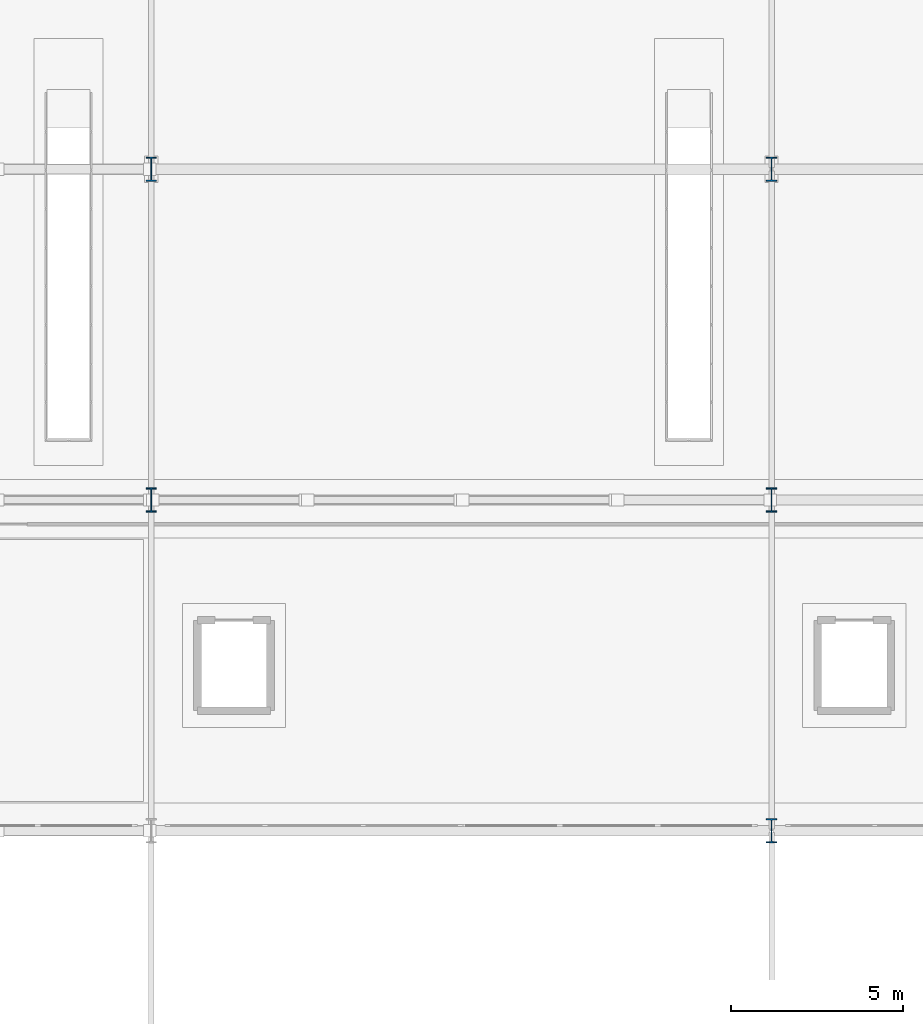
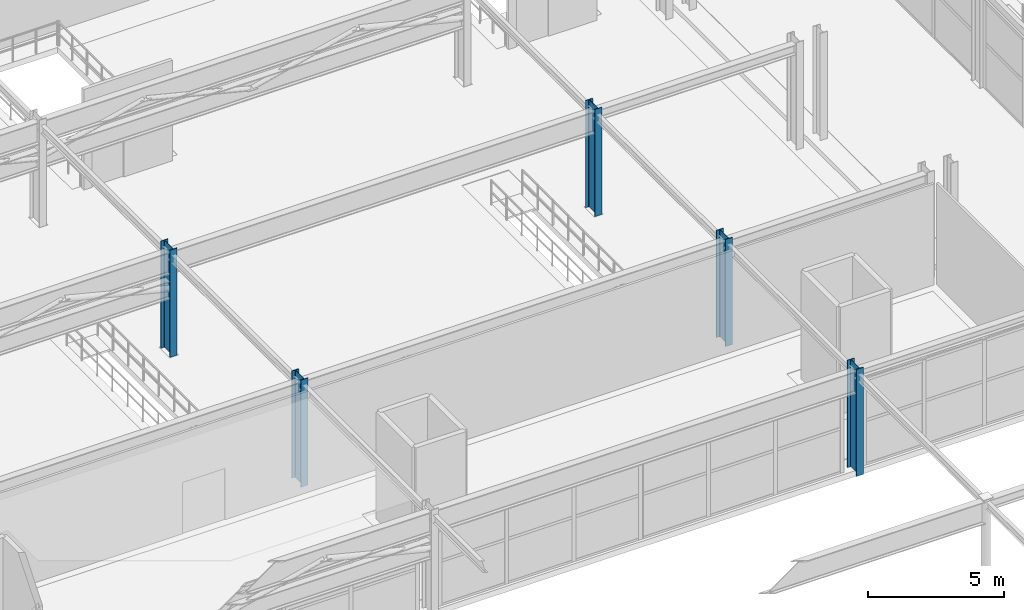
# One storey, part 4 of 125: 5 columns.
"""IFC4 building model written with IfcOpenShell, lengths in metres."""

import ifcopenshell
import ifcopenshell.guid

model = None  # the IFC model being written
_history = None  # IfcOwnerHistory: only IFC2X3 demands one
_inside = {}  # id of a spatial element -> (the spatial element, [elements in it])
_under = {}  # id of a project, library or spatial element -> (it, [spatial elements below it])
_declared = {}  # id of a project -> (the project, [libraries it declares])
_typed = {}  # id of a type object -> (the type object, [elements of that type])
_made_of = {}  # id of a material, layer set ... -> (it, [elements and type objects made of it])


def new_model(schema):
    """Start an empty IFC model of exactly this schema.

    Asked for "IFC4X3", IfcOpenShell would pick the latest addendum, in which some entities
    have other attributes; the version numbers below select the first issue.
    IFC2X3 requires an IfcOwnerHistory on every rooted entity: one is made here for all.
    """
    global model, _history
    if schema == "IFC4X3":
        model = ifcopenshell.file(schema_version=(4, 3, 0, 0))
    else:
        model = ifcopenshell.file(schema=schema)
    _inside.clear()
    _under.clear()
    _declared.clear()
    _typed.clear()
    _made_of.clear()
    _history = None
    if model.schema == "IFC2X3":
        org = make("IfcOrganization", Name="unknown")
        user = make(
            "IfcPersonAndOrganization",
            ThePerson=make("IfcPerson", FamilyName="unknown"),
            TheOrganization=org,
        )
        app = make(
            "IfcApplication",
            ApplicationDeveloper=org,
            Version="unknown",
            ApplicationFullName="unknown",
            ApplicationIdentifier="unknown",
        )
        _history = make(
            "IfcOwnerHistory",
            OwningUser=user,
            OwningApplication=app,
            ChangeAction="ADDED",
            CreationDate=0,
        )
    return model


def make(cls, **values):
    """One entity of the class cls with the attributes given. An attribute that is None is left unset."""
    return model.create_entity(
        cls, **{name: value for name, value in values.items() if value is not None}
    )


def rooted(cls, **values):
    """An entity with a GlobalId (a new one), such as an element, a storey or a relation."""
    return make(cls, GlobalId=ifcopenshell.guid.new(), OwnerHistory=_history, **values)


def si_unit(unit_type, name, prefix=None):
    """IfcSIUnit, for example si_unit("LENGTHUNIT", "METRE", prefix="MILLI")."""
    return make("IfcSIUnit", UnitType=unit_type, Prefix=prefix, Name=name)


def assignment(units):
    """IfcUnitAssignment: the units of a project."""
    return None if units is None else make("IfcUnitAssignment", Units=units)


def point(xyz):
    """IfcCartesianPoint."""
    return None if xyz is None else make("IfcCartesianPoint", Coordinates=xyz)


def direction(xyz):
    """IfcDirection."""
    return None if xyz is None else make("IfcDirection", DirectionRatios=xyz)


def frame(location, z_axis=None, x_axis=None):
    """IfcAxis2Placement3D, a coordinate frame: its origin and axes. An axis left out is left unset."""
    return make(
        "IfcAxis2Placement3D",
        Location=point(location),
        Axis=direction(z_axis),
        RefDirection=direction(x_axis),
    )


def frame_2d(location, x_axis=None):
    """IfcAxis2Placement2D, a coordinate frame in the plane: its origin and x axis."""
    return make(
        "IfcAxis2Placement2D", Location=point(location), RefDirection=direction(x_axis)
    )


def origin():
    """The frame at (0, 0, 0) with its axes left unset."""
    return frame((0.0, 0.0, 0.0))


def origin_2d():
    """The frame at (0, 0) in the plane with its x axis left unset."""
    return frame_2d((0.0, 0.0))


def place(relative_to, where):
    """IfcLocalPlacement: puts the frame where relative to a parent placement (None: the world)."""
    return make(
        "IfcLocalPlacement", PlacementRelTo=relative_to, RelativePlacement=where
    )


def context(
    kind, dimensions, precision=None, world=None, true_north=None, identifier=None
):
    """IfcGeometricRepresentationContext, for example the 3D "Model" context."""
    return make(
        "IfcGeometricRepresentationContext",
        ContextIdentifier=identifier,
        ContextType=kind,
        CoordinateSpaceDimension=dimensions,
        Precision=precision,
        WorldCoordinateSystem=world,
        TrueNorth=true_north,
    )


def subcontext(parent, identifier, kind, view, scale=None):
    """IfcGeometricRepresentationSubContext, for example "Body" below "Model"."""
    return make(
        "IfcGeometricRepresentationSubContext",
        ContextIdentifier=identifier,
        ContextType=kind,
        ParentContext=parent,
        TargetScale=scale,
        TargetView=view,
    )


def project(units=None, contexts=None):
    """IfcProject with its units and contexts."""
    return rooted(
        "IfcProject",
        Name="project",
        RepresentationContexts=contexts,
        UnitsInContext=assignment(units),
    )


def spatial(cls, under=None, at=None, **own):
    """A site, building, storey or space (cls), placed at a placement, below another one or the project."""
    s = rooted(cls, ObjectPlacement=at, **own)
    if under is not None:
        _under.setdefault(under.id(), (under, []))[1].append(s)
    return s


def profile(cls, at=None, kind="AREA", **sizes):
    """A parametric profile (cls). Its sizes go by their IFC names, for example OverallWidth=200.0."""
    return make(cls, ProfileType=kind, Position=at, **sizes)


def i_section(**sizes):
    """IfcIShapeProfileDef."""
    return profile("IfcIShapeProfileDef", **sizes)


def extrude(swept, where, along, depth):
    """IfcExtrudedAreaSolid: the profile swept, set in the frame where, extruded along a direction by depth."""
    return make(
        "IfcExtrudedAreaSolid",
        SweptArea=swept,
        Position=where,
        ExtrudedDirection=direction(along),
        Depth=depth,
    )


def shape(context_of_items, identifier, shape_type, items):
    """IfcShapeRepresentation: the items that make up one representation, for example the "Body"."""
    return make(
        "IfcShapeRepresentation",
        ContextOfItems=context_of_items,
        RepresentationIdentifier=identifier,
        RepresentationType=shape_type,
        Items=items,
    )


def material(Name=None, Category=None):
    """IfcMaterial."""
    return make("IfcMaterial", Name=Name, Category=Category)


def material_profile(
    of_material, cross_section, Name=None, Category=None, Priority=None
):
    """IfcMaterialProfile: a cross section and its material."""
    return make(
        "IfcMaterialProfile",
        Name=Name,
        Material=of_material,
        Profile=cross_section,
        Priority=Priority,
        Category=Category,
    )


def profile_set(profiles, Name=None, composite=None):
    """IfcMaterialProfileSet."""
    return make(
        "IfcMaterialProfileSet",
        Name=Name,
        MaterialProfiles=profiles,
        CompositeProfile=composite,
    )


def made_of(thing, what):
    """Note that an element or type object is made of a material, layer set ...; save() writes the relation."""
    if what is not None:
        _made_of.setdefault(what.id(), (what, []))[1].append(thing)
    return thing


def type_object(cls, material=None, **own):
    """A type object (cls), such as IfcWallType, which elements share."""
    return made_of(rooted(cls, **own), material)


def element(
    cls,
    number,
    at=None,
    inside=None,
    cuts=None,
    type_object=None,
    material=None,
    context=None,
    identifier="Body",
    shape_type=None,
    held_by="IfcProductDefinitionShape",
    body=None,
    shapes=None,
    **own,
):
    """One element of the class cls, such as IfcWall. Its Tag is "e" and its number.

    at: its placement. inside: the storey or other place that contains it. cuts: it is an
    opening in that element (IfcRelVoidsElement). A single representation is given by context,
    identifier, shape_type and body (its items); several are given by shapes. held_by: the class
    of the entity that holds the representations. save() writes the other relations.
    """
    e = rooted(cls, Tag="e%d" % number, ObjectPlacement=at, **own)
    if body is not None:
        shapes = [shape(context, identifier, shape_type, body)]
    if shapes is not None:
        e.Representation = make(held_by, Representations=shapes)
    if inside is not None:
        _inside.setdefault(inside.id(), (inside, []))[1].append(e)
    if cuts is not None:
        rooted(
            "IfcRelVoidsElement", RelatingBuildingElement=cuts, RelatedOpeningElement=e
        )
    if type_object is not None:
        _typed.setdefault(type_object.id(), (type_object, []))[1].append(e)
    return made_of(e, material)


def aggregate(whole, parts):
    """IfcRelAggregates: a whole, such as a stair, and the parts it consists of."""
    return rooted("IfcRelAggregates", RelatingObject=whole, RelatedObjects=parts)


def save(model, path):
    """Write the relations noted so far, then the file.

    IfcRelAggregates (storeys below a building ...), IfcRelContainedInSpatialStructure (elements
    in a storey), IfcRelDefinesByType, IfcRelAssociatesMaterial and IfcRelDeclares: one each for
    every whole, place, type object, material and project.
    """
    for whole, parts in _under.values():
        aggregate(whole, parts)
    for where, things in _inside.values():
        rooted(
            "IfcRelContainedInSpatialStructure",
            RelatedElements=things,
            RelatingStructure=where,
        )
    for kind, things in _typed.values():
        rooted("IfcRelDefinesByType", RelatedObjects=things, RelatingType=kind)
    for what, things in _made_of.values():
        rooted("IfcRelAssociatesMaterial", RelatedObjects=things, RelatingMaterial=what)
    for by, libraries in _declared.values():
        rooted("IfcRelDeclares", RelatingContext=by, RelatedDefinitions=libraries)
    model.write(path)


model = new_model("IFC4")

# Units and contexts
model_context = context("Model", 3, precision=1e-05, world=origin(), true_north=direction((0.0, 1.0)))
body_context = subcontext(model_context, "Body", "Model", "MODEL_VIEW")
ifc_project = project(units=[si_unit("LENGTHUNIT", "METRE"), si_unit("AREAUNIT", "SQUARE_METRE"), si_unit("VOLUMEUNIT", "CUBIC_METRE"), si_unit("PLANEANGLEUNIT", "RADIAN"), si_unit("MASSUNIT", "GRAM", prefix="KILO")], contexts=[model_context])

# Site, building, storey
site_placement = place(None, origin())
site = spatial("IfcSite", under=ifc_project, at=site_placement, CompositionType="ELEMENT")
building_placement = place(site_placement, origin())
building = spatial("IfcBuilding", under=site, at=building_placement, Name="Myrtia Square Station", CompositionType="ELEMENT")
storey_placement = place(building_placement, frame((0.0, 0.0, 6.0)))
storey = spatial("IfcBuildingStorey", under=building, at=storey_placement, Name="L01", CompositionType="ELEMENT", Elevation=6.0)

# Columns
ifc_material = material(Name="Steel S355", Category="steel")
ifc_material_profile = material_profile(ifc_material, i_section(OverallWidth=0.300048828125, OverallDepth=0.699951171875, WebThickness=0.01708984375, FlangeThickness=0.031982421875, FilletRadius=0.027099609375, at=origin_2d()), Name="HEB 700")
ifc_profile_set = profile_set([ifc_material_profile], Name="Steel S355")
column_type = type_object("IfcColumnType", Name="COL-HEB700", PredefinedType="COLUMN", material=ifc_profile_set)
for number, where, z_axis, x_axis, name in (
    (1, (45.0, 48.0, 0.0), (0.0, 0.0, 1.0), (1.0, 0.0, 0.0), "Column L01-0132"),
    (2, (45.0, 57.60009765625, 0.0), (0.0, 0.0, 1.0), (1.0, 0.0, 0.0), "Column L01-0135"),
    (3, (63.0, 38.39990234375, 0.0), (0.0, 0.0, 1.0), (1.0, 0.0, 0.0), "Column L01-0171"),
    (4, (63.0, 48.0, 0.0), (0.0, 0.0, 1.0), (1.0, 0.0, 0.0), "Column L01-0174"),
    (5, (63.0, 57.60009765625, 0.0), (0.0, 0.0, 1.0), (1.0, 0.0, 0.0), "Column L01-0177"),
):
    element("IfcColumn", number, at=place(storey_placement, frame(where, z_axis=z_axis, x_axis=x_axis)), inside=storey, type_object=column_type, Name=name, PredefinedType="COLUMN", context=body_context, shape_type="SweptSolid", body=[
        extrude(i_section(OverallWidth=0.300048828125, OverallDepth=0.699951171875, WebThickness=0.01708984375, FlangeThickness=0.031982421875, FilletRadius=0.027099609375, at=origin_2d()), origin(), (0.0, 0.0, 1.0), 4.800048828125),
    ])

save(model, "model.ifc")
